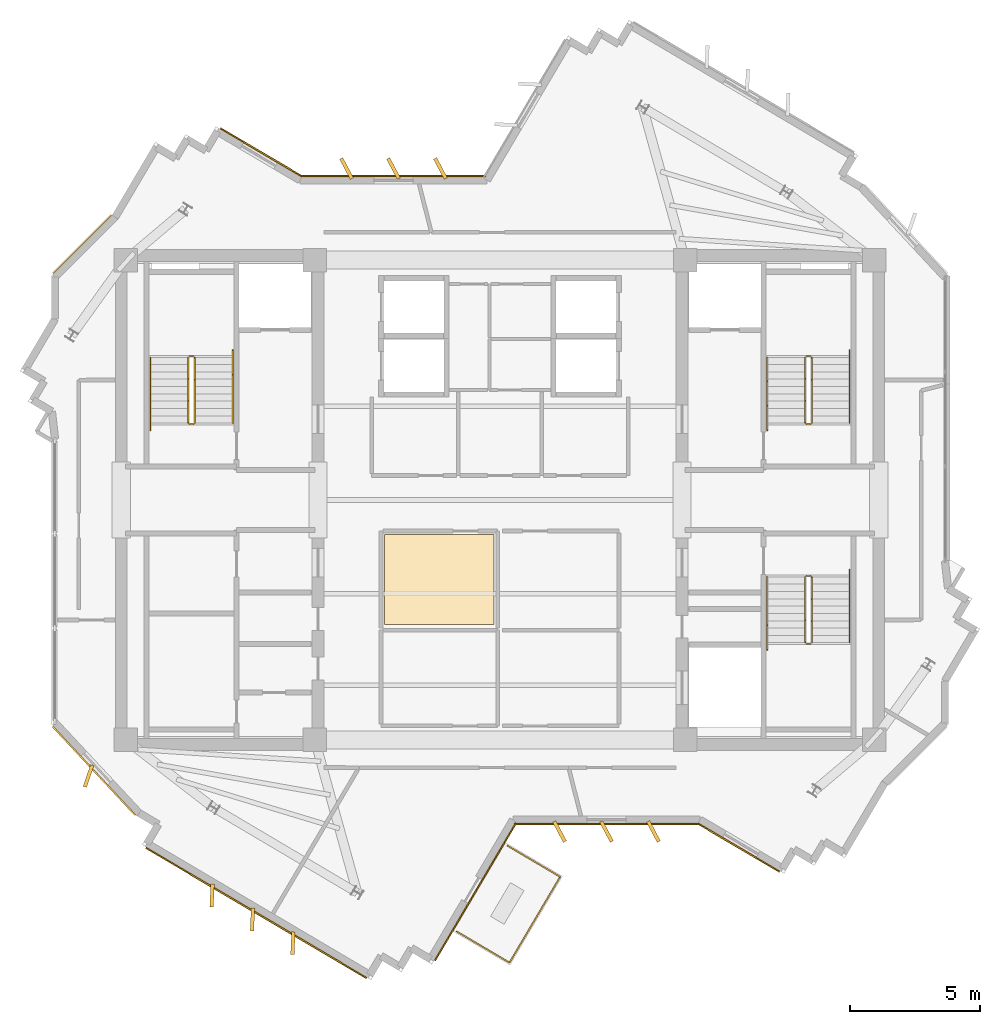
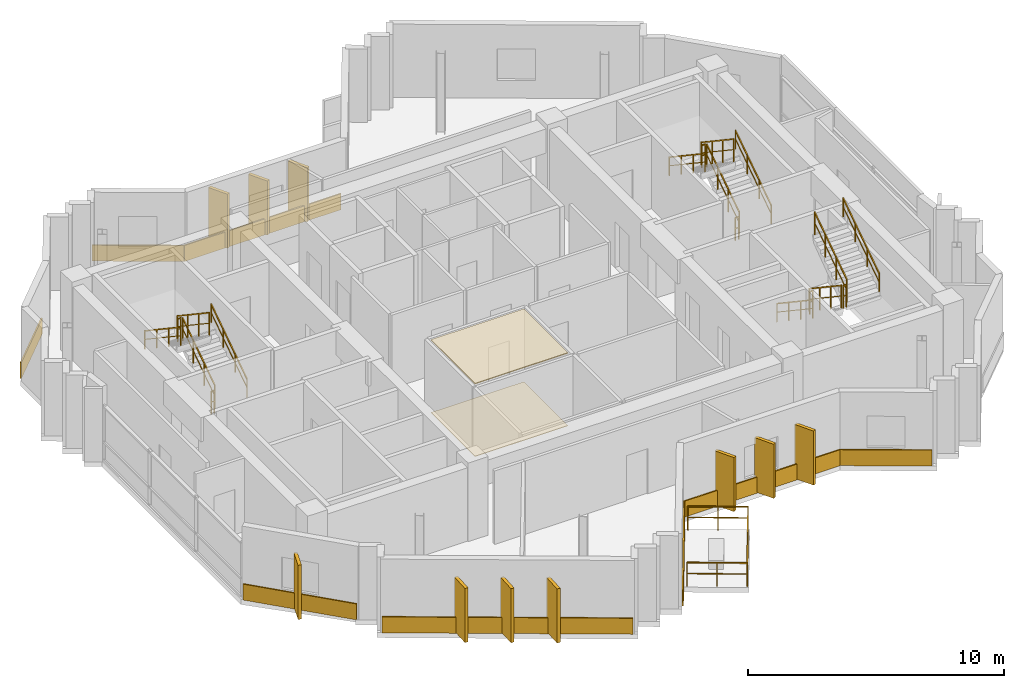
# One storey, part 9 of 10: 21 railings, 20 coverings.
"""IFC4 building model written with IfcOpenShell, lengths in metres."""

from ifc_helpers import new_model, si_unit, direction, frame, origin, origin_2d, place, context, subcontext, project, spatial, polyline, rectangle, outline, extrude, source, transform, mapped, material, layer, layer_set, type_object, element, save


model = new_model("IFC4")

# Units and contexts
model_context = context("Model", 3, precision=1e-05, world=origin(), true_north=direction((0.0, 1.0)))
body_context = subcontext(model_context, "Body", "Model", "MODEL_VIEW")
ifc_project = project(units=[si_unit("LENGTHUNIT", "METRE"), si_unit("AREAUNIT", "SQUARE_METRE"), si_unit("VOLUMEUNIT", "CUBIC_METRE"), si_unit("PLANEANGLEUNIT", "RADIAN"), si_unit("MASSUNIT", "GRAM", prefix="KILO")], contexts=[model_context])

# Site, building, storey
site_placement = place(None, origin())
site = spatial("IfcSite", under=ifc_project, at=site_placement, CompositionType="ELEMENT")
building_placement = place(site_placement, origin())
building = spatial("IfcBuilding", under=site, at=building_placement, Name="Zahravan Cultural Tower", CompositionType="ELEMENT")
storey_placement = place(building_placement, frame((0.0, 0.0, 349.800048828125)))
storey = spatial("IfcBuildingStorey", under=building, at=storey_placement, Name="L85", CompositionType="ELEMENT", Elevation=349.800048828125)

# Coverings
ifc_material_1 = material(Name="Acoustic mineral fibreboard")
ifc_layer_1 = layer(ifc_material_1, 0.0400390625)
ifc_layer_set_1 = layer_set([ifc_layer_1], Name="Acoustic mineral fibreboard")
covering_type_1 = type_object("IfcCoveringType", Name="COV-CEIL-AC20", PredefinedType="CEILING", material=ifc_layer_set_1)
covering_1_placement = place(storey_placement, frame((0.0, 0.0, 3.4599609375)))
element("IfcCovering", 1, at=covering_1_placement, inside=storey, type_object=covering_type_1, Name="L85 Acoustic Suspended Ceiling", PredefinedType="CEILING", context=body_context, shape_type="SweptSolid", body=[
    extrude(outline(polyline([(35.77001953125, 25.669921875), (31.580078125, 25.669921875), (31.580078125, 22.22998046875), (35.77001953125, 22.22998046875), (35.77001953125, 25.669921875)])), origin(), (0.0, 0.0, 1.0), 0.0400390625),
])
ifc_material_2 = material(Name="Terrazzo flooring")
ifc_layer_2 = layer(ifc_material_2, 0.02490234375)
ifc_layer_set_2 = layer_set([ifc_layer_2], Name="Terrazzo flooring")
covering_type_2 = type_object("IfcCoveringType", Name="COV-FLR-TZ25", PredefinedType="FLOORING", material=ifc_layer_set_2)
covering_2_placement = place(storey_placement, origin())
element("IfcCovering", 2, at=covering_2_placement, inside=storey, type_object=covering_type_2, Name="L85 Polished Terrazzo Flooring", PredefinedType="FLOORING", context=body_context, shape_type="SweptSolid", body=[
    extrude(outline(polyline([(35.77001953125, 25.669921875), (31.580078125, 25.669921875), (31.580078125, 22.22998046875), (35.77001953125, 22.22998046875), (35.77001953125, 25.669921875)])), origin(), (0.0, 0.0, 1.0), 0.02490234375),
])

# Railings
ifc_material_3 = material(Name="Steel ASTM A572 Grade 50", Category="steel")
railing_type_1 = type_object("IfcRailingType", Name="RL-BAL-1150", PredefinedType="BALUSTRADE", material=ifc_material_3)
railing_1_placement = place(storey_placement, frame((38.306396484375, 12.552001953125, 0.0)))
element("IfcRailing", 3, at=railing_1_placement, inside=storey, type_object=railing_type_1, Name="L85 Edge Balustrade GRD-TR-L85-SW-01", PredefinedType="BALUSTRADE", context=body_context, shape_type="SweptSolid", body=[
    extrude(rectangle(XDim=0.05, YDim=0.05, at=origin_2d()), frame((0.0, 0.0, 1.125), z_axis=(-0.508307203963, -0.861175816195, 0.0), x_axis=(0.861175816195, -0.508307203963, 0.0)), (0.0, 0.0, 1.0), 3.81982421875),
    extrude(rectangle(XDim=0.032, YDim=0.032, at=origin_2d()), frame((0.0, 0.0, 0.597900390625), z_axis=(-0.508307203963, -0.861175816195, 0.0), x_axis=(0.861175816195, -0.508307203963, 0.0)), (0.0, 0.0, 1.0), 3.81982421875),
    extrude(rectangle(XDim=0.04, YDim=0.04, at=origin_2d()), origin(), (0.0, 0.0, 1.0), 1.14990234375),
    extrude(rectangle(XDim=0.04, YDim=0.04, at=origin_2d()), frame((-0.4853515625, -0.822265625, 0.0)), (0.0, 0.0, 1.0), 1.14990234375),
    extrude(rectangle(XDim=0.04, YDim=0.04, at=origin_2d()), frame((-0.970703125, -1.644775390625, 0.0)), (0.0, 0.0, 1.0), 1.14990234375),
    extrude(rectangle(XDim=0.04, YDim=0.04, at=origin_2d()), frame((-1.456298828125, -2.46728515625, 0.0)), (0.0, 0.0, 1.0), 1.14990234375),
    extrude(rectangle(XDim=0.04, YDim=0.04, at=origin_2d()), frame((-1.941650390625, -3.28955078125, 0.0)), (0.0, 0.0, 1.0), 1.14990234375),
])
railing_2_placement = place(storey_placement, frame((36.36474609375, 9.262451171875, 0.0)))
element("IfcRailing", 4, at=railing_2_placement, inside=storey, type_object=railing_type_1, Name="L85 Edge Balustrade GRD-TR-L85-SW-02", PredefinedType="BALUSTRADE", context=body_context, shape_type="SweptSolid", body=[
    extrude(rectangle(XDim=0.05, YDim=0.05, at=origin_2d()), frame((0.0, 0.0, 1.125), z_axis=(-0.861228334744, 0.508218216353, 0.0), x_axis=(-0.508218216353, -0.861228334744, 0.0)), (0.0, 0.0, 1.0), 2.35009765625),
    extrude(rectangle(XDim=0.032, YDim=0.032, at=origin_2d()), frame((0.0, 0.0, 0.597900390625), z_axis=(-0.861228334744, 0.508218216353, 0.0), x_axis=(-0.508218216353, -0.861228334744, 0.0)), (0.0, 0.0, 1.0), 2.35009765625),
    extrude(rectangle(XDim=0.04, YDim=0.04, at=origin_2d()), origin(), (0.0, 0.0, 1.0), 1.14990234375),
    extrude(rectangle(XDim=0.04, YDim=0.04, at=origin_2d()), frame((-1.011962890625, 0.59716796875, 0.0)), (0.0, 0.0, 1.0), 1.14990234375),
    extrude(rectangle(XDim=0.04, YDim=0.04, at=origin_2d()), frame((-2.02392578125, 1.1943359375, 0.0)), (0.0, 0.0, 1.0), 1.14990234375),
])
railing_3_placement = place(storey_placement, frame((36.28271484375, 13.74658203125, 0.0)))
element("IfcRailing", 5, at=railing_3_placement, inside=storey, type_object=railing_type_1, Name="L85 Edge Balustrade GRD-TR-L85-SW-03", PredefinedType="BALUSTRADE", context=body_context, shape_type="SweptSolid", body=[
    extrude(rectangle(XDim=0.05, YDim=0.05, at=origin_2d()), frame((0.0, 0.0, 1.125), z_axis=(0.861156019915, -0.508340741397, 0.0), x_axis=(0.508340741397, 0.861156019915, 0.0)), (0.0, 0.0, 1.0), 2.349853515625),
    extrude(rectangle(XDim=0.032, YDim=0.032, at=origin_2d()), frame((0.0, 0.0, 0.597900390625), z_axis=(0.861156019915, -0.508340741397, 0.0), x_axis=(0.508340741397, 0.861156019915, 0.0)), (0.0, 0.0, 1.0), 2.349853515625),
    extrude(rectangle(XDim=0.04, YDim=0.04, at=origin_2d()), origin(), (0.0, 0.0, 1.0), 1.14990234375),
    extrude(rectangle(XDim=0.04, YDim=0.04, at=origin_2d()), frame((1.01171875, -0.59716796875, 0.0)), (0.0, 0.0, 1.0), 1.14990234375),
    extrude(rectangle(XDim=0.04, YDim=0.04, at=origin_2d()), frame((2.023681640625, -1.194580078125, 0.0)), (0.0, 0.0, 1.0), 1.14990234375),
])
railing_type_2 = type_object("IfcRailingType", Name="RL-STAIR-GRD1150", PredefinedType="BALUSTRADE", material=ifc_material_3)
railing_4_placement = place(storey_placement, frame((24.300048828125, 29.949951171875, 0.1875)))
element("IfcRailing", 6, at=railing_4_placement, inside=storey, type_object=railing_type_2, Name="L85 ST-W1 stair guard 1", PredefinedType="BALUSTRADE", context=body_context, shape_type="SweptSolid", body=[
    extrude(rectangle(XDim=0.05, YDim=0.05, at=origin_2d()), frame((0.0, 0.0, 1.0751953125), z_axis=(0.0, 0.830909170722, 0.55640807867), x_axis=(-1.0, 0.0, 0.0)), (0.0, 0.0, 1.0), 3.032958984375),
    extrude(rectangle(XDim=0.032, YDim=0.032, at=origin_2d()), frame((0.0, 0.0, 0.572021484375), z_axis=(0.0, 0.830909170722, 0.55640807867), x_axis=(-1.0, 0.0, 0.0)), (0.0, 0.0, 1.0), 3.032958984375),
    extrude(rectangle(XDim=0.04, YDim=0.04, at=origin_2d()), origin(), (0.0, 0.0, 1.0), 1.10009765625),
    extrude(rectangle(XDim=0.04, YDim=0.04, at=origin_2d()), frame((0.0, 0.840087890625, 0.5625)), (0.0, 0.0, 1.0), 1.10009765625),
    extrude(rectangle(XDim=0.04, YDim=0.04, at=origin_2d()), frame((0.0, 1.679931640625, 1.125)), (0.0, 0.0, 1.0), 1.10009765625),
    extrude(rectangle(XDim=0.04, YDim=0.04, at=origin_2d()), frame((0.0, 2.52001953125, 1.6875)), (0.0, 0.0, 1.0), 1.10009765625),
])
railing_5_placement = place(storey_placement, frame((24.25, 32.52001953125, 1.875)))
element("IfcRailing", 7, at=railing_5_placement, inside=storey, type_object=railing_type_2, Name="L85 ST-W1 stair guard 2", PredefinedType="BALUSTRADE", context=body_context, shape_type="SweptSolid", body=[
    extrude(rectangle(XDim=0.05, YDim=0.05, at=origin_2d()), frame((0.0, 0.0, 1.0751953125), z_axis=(-1.0, 0.0, 0.0), x_axis=(0.0, -1.0, 0.0)), (0.0, 0.0, 1.0), 0.14990234375),
    extrude(rectangle(XDim=0.032, YDim=0.032, at=origin_2d()), frame((0.0, 0.0, 0.572021484375), z_axis=(-1.0, 0.0, 0.0), x_axis=(0.0, -1.0, 0.0)), (0.0, 0.0, 1.0), 0.14990234375),
    extrude(rectangle(XDim=0.04, YDim=0.04, at=origin_2d()), origin(), (0.0, 0.0, 1.0), 1.10009765625),
    extrude(rectangle(XDim=0.04, YDim=0.04, at=origin_2d()), frame((-0.14990234375, 0.0, 0.0)), (0.0, 0.0, 1.0), 1.10009765625),
])
railing_6_placement = place(storey_placement, frame((24.050048828125, 32.469970703125, 2.0625)))
element("IfcRailing", 8, at=railing_6_placement, inside=storey, type_object=railing_type_2, Name="L85 ST-W1 stair guard 3", PredefinedType="BALUSTRADE", context=body_context, shape_type="SweptSolid", body=[
    extrude(rectangle(XDim=0.05, YDim=0.05, at=origin_2d()), frame((0.0, 0.0, 1.0751953125), z_axis=(0.0, -0.830909170722, 0.55640807867), x_axis=(1.0, 0.0, 0.0)), (0.0, 0.0, 1.0), 3.032958984375),
    extrude(rectangle(XDim=0.032, YDim=0.032, at=origin_2d()), frame((0.0, 0.0, 0.572021484375), z_axis=(0.0, -0.830909170722, 0.55640807867), x_axis=(1.0, 0.0, 0.0)), (0.0, 0.0, 1.0), 3.032958984375),
    extrude(rectangle(XDim=0.04, YDim=0.04, at=origin_2d()), origin(), (0.0, 0.0, 1.0), 1.10009765625),
    extrude(rectangle(XDim=0.04, YDim=0.04, at=origin_2d()), frame((0.0, -0.840087890625, 0.5625)), (0.0, 0.0, 1.0), 1.10009765625),
    extrude(rectangle(XDim=0.04, YDim=0.04, at=origin_2d()), frame((0.0, -1.679931640625, 1.125)), (0.0, 0.0, 1.0), 1.10009765625),
    extrude(rectangle(XDim=0.04, YDim=0.04, at=origin_2d()), frame((0.0, -2.52001953125, 1.6875)), (0.0, 0.0, 1.0), 1.10009765625),
])
railing_7_placement = place(storey_placement, frame((24.25, 29.89990234375, 0.0)))
element("IfcRailing", 9, at=railing_7_placement, inside=storey, type_object=railing_type_2, Name="L85 ST-W1 stair guard 4", PredefinedType="BALUSTRADE", context=body_context, shape_type="SweptSolid", body=[
    extrude(rectangle(XDim=0.05, YDim=0.05, at=origin_2d()), frame((0.0, 0.0, 1.0751953125), z_axis=(-1.0, 0.0, 0.0), x_axis=(0.0, -1.0, 0.0)), (0.0, 0.0, 1.0), 0.14990234375),
    extrude(rectangle(XDim=0.032, YDim=0.032, at=origin_2d()), frame((0.0, 0.0, 0.572021484375), z_axis=(-1.0, 0.0, 0.0), x_axis=(0.0, -1.0, 0.0)), (0.0, 0.0, 1.0), 0.14990234375),
    extrude(rectangle(XDim=0.04, YDim=0.04, at=origin_2d()), origin(), (0.0, 0.0, 1.0), 1.10009765625),
    extrude(rectangle(XDim=0.04, YDim=0.04, at=origin_2d()), frame((-0.14990234375, 0.0, 0.0)), (0.0, 0.0, 1.0), 1.10009765625),
])
railing_8_placement = place(storey_placement, frame((47.949951171875, 29.949951171875, 0.1875)))
element("IfcRailing", 10, at=railing_8_placement, inside=storey, type_object=railing_type_2, Name="L85 ST-E1 stair guard 1", PredefinedType="BALUSTRADE", context=body_context, shape_type="SweptSolid", body=[
    extrude(rectangle(XDim=0.05, YDim=0.05, at=origin_2d()), frame((0.0, 0.0, 1.0751953125), z_axis=(0.0, 0.830909170722, 0.55640807867), x_axis=(-1.0, 0.0, 0.0)), (0.0, 0.0, 1.0), 3.032958984375),
    extrude(rectangle(XDim=0.032, YDim=0.032, at=origin_2d()), frame((0.0, 0.0, 0.572021484375), z_axis=(0.0, 0.830909170722, 0.55640807867), x_axis=(-1.0, 0.0, 0.0)), (0.0, 0.0, 1.0), 3.032958984375),
    extrude(rectangle(XDim=0.04, YDim=0.04, at=origin_2d()), origin(), (0.0, 0.0, 1.0), 1.10009765625),
    extrude(rectangle(XDim=0.04, YDim=0.04, at=origin_2d()), frame((0.0, 0.840087890625, 0.5625)), (0.0, 0.0, 1.0), 1.10009765625),
    extrude(rectangle(XDim=0.04, YDim=0.04, at=origin_2d()), frame((0.0, 1.679931640625, 1.125)), (0.0, 0.0, 1.0), 1.10009765625),
    extrude(rectangle(XDim=0.04, YDim=0.04, at=origin_2d()), frame((0.0, 2.52001953125, 1.6875)), (0.0, 0.0, 1.0), 1.10009765625),
])
railing_9_placement = place(storey_placement, frame((47.89990234375, 32.52001953125, 1.875)))
element("IfcRailing", 11, at=railing_9_placement, inside=storey, type_object=railing_type_2, Name="L85 ST-E1 stair guard 2", PredefinedType="BALUSTRADE", context=body_context, shape_type="SweptSolid", body=[
    extrude(rectangle(XDim=0.05, YDim=0.05, at=origin_2d()), frame((0.0, 0.0, 1.0751953125), z_axis=(-1.0, 0.0, 0.0), x_axis=(0.0, -1.0, 0.0)), (0.0, 0.0, 1.0), 0.14990234375),
    extrude(rectangle(XDim=0.032, YDim=0.032, at=origin_2d()), frame((0.0, 0.0, 0.572021484375), z_axis=(-1.0, 0.0, 0.0), x_axis=(0.0, -1.0, 0.0)), (0.0, 0.0, 1.0), 0.14990234375),
    extrude(rectangle(XDim=0.04, YDim=0.04, at=origin_2d()), origin(), (0.0, 0.0, 1.0), 1.10009765625),
    extrude(rectangle(XDim=0.04, YDim=0.04, at=origin_2d()), frame((-0.14990234375, 0.0, 0.0)), (0.0, 0.0, 1.0), 1.10009765625),
])
railing_10_placement = place(storey_placement, frame((47.699951171875, 32.469970703125, 2.0625)))
element("IfcRailing", 12, at=railing_10_placement, inside=storey, type_object=railing_type_2, Name="L85 ST-E1 stair guard 3", PredefinedType="BALUSTRADE", context=body_context, shape_type="SweptSolid", body=[
    extrude(rectangle(XDim=0.05, YDim=0.05, at=origin_2d()), frame((0.0, 0.0, 1.0751953125), z_axis=(0.0, -0.830909170722, 0.55640807867), x_axis=(1.0, 0.0, 0.0)), (0.0, 0.0, 1.0), 3.032958984375),
    extrude(rectangle(XDim=0.032, YDim=0.032, at=origin_2d()), frame((0.0, 0.0, 0.572021484375), z_axis=(0.0, -0.830909170722, 0.55640807867), x_axis=(1.0, 0.0, 0.0)), (0.0, 0.0, 1.0), 3.032958984375),
    extrude(rectangle(XDim=0.04, YDim=0.04, at=origin_2d()), origin(), (0.0, 0.0, 1.0), 1.10009765625),
    extrude(rectangle(XDim=0.04, YDim=0.04, at=origin_2d()), frame((0.0, -0.840087890625, 0.5625)), (0.0, 0.0, 1.0), 1.10009765625),
    extrude(rectangle(XDim=0.04, YDim=0.04, at=origin_2d()), frame((0.0, -1.679931640625, 1.125)), (0.0, 0.0, 1.0), 1.10009765625),
    extrude(rectangle(XDim=0.04, YDim=0.04, at=origin_2d()), frame((0.0, -2.52001953125, 1.6875)), (0.0, 0.0, 1.0), 1.10009765625),
])
railing_11_placement = place(storey_placement, frame((47.89990234375, 29.89990234375, 0.0)))
element("IfcRailing", 13, at=railing_11_placement, inside=storey, type_object=railing_type_2, Name="L85 ST-E1 stair guard 4", PredefinedType="BALUSTRADE", context=body_context, shape_type="SweptSolid", body=[
    extrude(rectangle(XDim=0.05, YDim=0.05, at=origin_2d()), frame((0.0, 0.0, 1.0751953125), z_axis=(-1.0, 0.0, 0.0), x_axis=(0.0, -1.0, 0.0)), (0.0, 0.0, 1.0), 0.14990234375),
    extrude(rectangle(XDim=0.032, YDim=0.032, at=origin_2d()), frame((0.0, 0.0, 0.572021484375), z_axis=(-1.0, 0.0, 0.0), x_axis=(0.0, -1.0, 0.0)), (0.0, 0.0, 1.0), 0.14990234375),
    extrude(rectangle(XDim=0.04, YDim=0.04, at=origin_2d()), origin(), (0.0, 0.0, 1.0), 1.10009765625),
    extrude(rectangle(XDim=0.04, YDim=0.04, at=origin_2d()), frame((-0.14990234375, 0.0, 0.0)), (0.0, 0.0, 1.0), 1.10009765625),
])
railing_12_placement = place(storey_placement, frame((47.699951171875, 24.050048828125, 0.1875)))
element("IfcRailing", 14, at=railing_12_placement, inside=storey, type_object=railing_type_2, Name="L85 ST-E2 stair guard 1", PredefinedType="BALUSTRADE", context=body_context, shape_type="SweptSolid", body=[
    extrude(rectangle(XDim=0.05, YDim=0.05, at=origin_2d()), frame((0.0, 0.0, 1.0751953125), z_axis=(0.0, -0.830909170722, 0.55640807867), x_axis=(1.0, 0.0, 0.0)), (0.0, 0.0, 1.0), 3.032958984375),
    extrude(rectangle(XDim=0.032, YDim=0.032, at=origin_2d()), frame((0.0, 0.0, 0.572021484375), z_axis=(0.0, -0.830909170722, 0.55640807867), x_axis=(1.0, 0.0, 0.0)), (0.0, 0.0, 1.0), 3.032958984375),
    extrude(rectangle(XDim=0.04, YDim=0.04, at=origin_2d()), origin(), (0.0, 0.0, 1.0), 1.10009765625),
    extrude(rectangle(XDim=0.04, YDim=0.04, at=origin_2d()), frame((0.0, -0.840087890625, 0.5625)), (0.0, 0.0, 1.0), 1.10009765625),
    extrude(rectangle(XDim=0.04, YDim=0.04, at=origin_2d()), frame((0.0, -1.679931640625, 1.125)), (0.0, 0.0, 1.0), 1.10009765625),
    extrude(rectangle(XDim=0.04, YDim=0.04, at=origin_2d()), frame((0.0, -2.52001953125, 1.6875)), (0.0, 0.0, 1.0), 1.10009765625),
])
railing_13_placement = place(storey_placement, frame((47.75, 21.47998046875, 1.875)))
element("IfcRailing", 15, at=railing_13_placement, inside=storey, type_object=railing_type_2, Name="L85 ST-E2 stair guard 2", PredefinedType="BALUSTRADE", context=body_context, shape_type="SweptSolid", body=[
    extrude(rectangle(XDim=0.05, YDim=0.05, at=origin_2d()), frame((0.0, 0.0, 1.0751953125), z_axis=(1.0, 0.0, 0.0), x_axis=(0.0, 1.0, 0.0)), (0.0, 0.0, 1.0), 0.14990234375),
    extrude(rectangle(XDim=0.032, YDim=0.032, at=origin_2d()), frame((0.0, 0.0, 0.572021484375), z_axis=(1.0, 0.0, 0.0), x_axis=(0.0, 1.0, 0.0)), (0.0, 0.0, 1.0), 0.14990234375),
    extrude(rectangle(XDim=0.04, YDim=0.04, at=origin_2d()), origin(), (0.0, 0.0, 1.0), 1.10009765625),
    extrude(rectangle(XDim=0.04, YDim=0.04, at=origin_2d()), frame((0.14990234375, 0.0, 0.0)), (0.0, 0.0, 1.0), 1.10009765625),
])
railing_14_placement = place(storey_placement, frame((47.949951171875, 21.530029296875, 2.0625)))
element("IfcRailing", 16, at=railing_14_placement, inside=storey, type_object=railing_type_2, Name="L85 ST-E2 stair guard 3", PredefinedType="BALUSTRADE", context=body_context, shape_type="SweptSolid", body=[
    extrude(rectangle(XDim=0.05, YDim=0.05, at=origin_2d()), frame((0.0, 0.0, 1.0751953125), z_axis=(0.0, 0.830909170722, 0.55640807867), x_axis=(-1.0, 0.0, 0.0)), (0.0, 0.0, 1.0), 3.032958984375),
    extrude(rectangle(XDim=0.032, YDim=0.032, at=origin_2d()), frame((0.0, 0.0, 0.572021484375), z_axis=(0.0, 0.830909170722, 0.55640807867), x_axis=(-1.0, 0.0, 0.0)), (0.0, 0.0, 1.0), 3.032958984375),
    extrude(rectangle(XDim=0.04, YDim=0.04, at=origin_2d()), origin(), (0.0, 0.0, 1.0), 1.10009765625),
    extrude(rectangle(XDim=0.04, YDim=0.04, at=origin_2d()), frame((0.0, 0.840087890625, 0.5625)), (0.0, 0.0, 1.0), 1.10009765625),
    extrude(rectangle(XDim=0.04, YDim=0.04, at=origin_2d()), frame((0.0, 1.679931640625, 1.125)), (0.0, 0.0, 1.0), 1.10009765625),
    extrude(rectangle(XDim=0.04, YDim=0.04, at=origin_2d()), frame((0.0, 2.52001953125, 1.6875)), (0.0, 0.0, 1.0), 1.10009765625),
])
railing_15_placement = place(storey_placement, frame((47.75, 24.10009765625, 0.0)))
element("IfcRailing", 17, at=railing_15_placement, inside=storey, type_object=railing_type_2, Name="L85 ST-E2 stair guard 4", PredefinedType="BALUSTRADE", context=body_context, shape_type="SweptSolid", body=[
    extrude(rectangle(XDim=0.05, YDim=0.05, at=origin_2d()), frame((0.0, 0.0, 1.0751953125), z_axis=(1.0, 0.0, 0.0), x_axis=(0.0, 1.0, 0.0)), (0.0, 0.0, 1.0), 0.14990234375),
    extrude(rectangle(XDim=0.032, YDim=0.032, at=origin_2d()), frame((0.0, 0.0, 0.572021484375), z_axis=(1.0, 0.0, 0.0), x_axis=(0.0, 1.0, 0.0)), (0.0, 0.0, 1.0), 0.14990234375),
    extrude(rectangle(XDim=0.04, YDim=0.04, at=origin_2d()), origin(), (0.0, 0.0, 1.0), 1.10009765625),
    extrude(rectangle(XDim=0.04, YDim=0.04, at=origin_2d()), frame((0.14990234375, 0.0, 0.0)), (0.0, 0.0, 1.0), 1.10009765625),
])
railing_type_3 = type_object("IfcRailingType", Name="RL-STAIR-HR900", PredefinedType="HANDRAIL", material=ifc_material_3)
railing_16_placement = place(storey_placement, frame((25.75, 29.949951171875, 0.1875)))
element("IfcRailing", 18, at=railing_16_placement, inside=storey, type_object=railing_type_3, Name="L85 ST-W1 stair handrail 1", PredefinedType="HANDRAIL", context=body_context, shape_type="SweptSolid", body=[
    extrude(rectangle(XDim=0.05, YDim=0.05, at=origin_2d()), frame((0.0, 0.0, 0.875), z_axis=(0.0, 0.830911662861, 0.55640435703), x_axis=(-1.0, 0.0, 0.0)), (0.0, 0.0, 1.0), 3.369873046875),
    extrude(rectangle(XDim=0.032, YDim=0.032, at=origin_2d()), frame((0.0, 0.0, 0.468017578125), z_axis=(0.0, 0.830911662861, 0.55640435703), x_axis=(-1.0, 0.0, 0.0)), (0.0, 0.0, 1.0), 3.369873046875),
    extrude(rectangle(XDim=0.04, YDim=0.04, at=origin_2d()), origin(), (0.0, 0.0, 1.0), 0.89990234375),
    extrude(rectangle(XDim=0.04, YDim=0.04, at=origin_2d()), frame((0.0, 0.933349609375, 0.625)), (0.0, 0.0, 1.0), 0.89990234375),
    extrude(rectangle(XDim=0.04, YDim=0.04, at=origin_2d()), frame((0.0, 1.86669921875, 1.25)), (0.0, 0.0, 1.0), 0.89990234375),
    extrude(rectangle(XDim=0.04, YDim=0.04, at=origin_2d()), frame((0.0, 2.800048828125, 1.875)), (0.0, 0.0, 1.0), 0.89990234375),
])
railing_17_placement = place(storey_placement, frame((22.60009765625, 32.469970703125, 2.0625)))
element("IfcRailing", 19, at=railing_17_placement, inside=storey, type_object=railing_type_3, Name="L85 ST-W1 stair handrail 2", PredefinedType="HANDRAIL", context=body_context, shape_type="SweptSolid", body=[
    extrude(rectangle(XDim=0.05, YDim=0.05, at=origin_2d()), frame((0.0, 0.0, 0.875), z_axis=(0.0, -0.830911662861, 0.55640435703), x_axis=(1.0, 0.0, 0.0)), (0.0, 0.0, 1.0), 3.369873046875),
    extrude(rectangle(XDim=0.032, YDim=0.032, at=origin_2d()), frame((0.0, 0.0, 0.468017578125), z_axis=(0.0, -0.830911662861, 0.55640435703), x_axis=(1.0, 0.0, 0.0)), (0.0, 0.0, 1.0), 3.369873046875),
    extrude(rectangle(XDim=0.04, YDim=0.04, at=origin_2d()), origin(), (0.0, 0.0, 1.0), 0.89990234375),
    extrude(rectangle(XDim=0.04, YDim=0.04, at=origin_2d()), frame((0.0, -0.933349609375, 0.625)), (0.0, 0.0, 1.0), 0.89990234375),
    extrude(rectangle(XDim=0.04, YDim=0.04, at=origin_2d()), frame((0.0, -1.86669921875, 1.25)), (0.0, 0.0, 1.0), 0.89990234375),
    extrude(rectangle(XDim=0.04, YDim=0.04, at=origin_2d()), frame((0.0, -2.800048828125, 1.875)), (0.0, 0.0, 1.0), 0.89990234375),
])
railing_18_placement = place(storey_placement, frame((49.39990234375, 29.949951171875, 0.1875)))
element("IfcRailing", 20, at=railing_18_placement, inside=storey, type_object=railing_type_3, Name="L85 ST-E1 stair handrail 1", PredefinedType="HANDRAIL", context=body_context, shape_type="SweptSolid", body=[
    extrude(rectangle(XDim=0.05, YDim=0.05, at=origin_2d()), frame((0.0, 0.0, 0.875), z_axis=(0.0, 0.830911662861, 0.55640435703), x_axis=(-1.0, 0.0, 0.0)), (0.0, 0.0, 1.0), 3.369873046875),
    extrude(rectangle(XDim=0.032, YDim=0.032, at=origin_2d()), frame((0.0, 0.0, 0.468017578125), z_axis=(0.0, 0.830911662861, 0.55640435703), x_axis=(-1.0, 0.0, 0.0)), (0.0, 0.0, 1.0), 3.369873046875),
    extrude(rectangle(XDim=0.04, YDim=0.04, at=origin_2d()), origin(), (0.0, 0.0, 1.0), 0.89990234375),
    extrude(rectangle(XDim=0.04, YDim=0.04, at=origin_2d()), frame((0.0, 0.933349609375, 0.625)), (0.0, 0.0, 1.0), 0.89990234375),
    extrude(rectangle(XDim=0.04, YDim=0.04, at=origin_2d()), frame((0.0, 1.86669921875, 1.25)), (0.0, 0.0, 1.0), 0.89990234375),
    extrude(rectangle(XDim=0.04, YDim=0.04, at=origin_2d()), frame((0.0, 2.800048828125, 1.875)), (0.0, 0.0, 1.0), 0.89990234375),
])
for number, where, name in (
    (21, (46.25, 32.469970703125, 2.0625), "L85 ST-E1 stair handrail 2"),
    (22, (46.25, 24.050048828125, 0.1875), "L85 ST-E2 stair handrail 1"),
):
    element("IfcRailing", number, at=place(storey_placement, frame(where)), inside=storey, type_object=railing_type_3, Name=name, PredefinedType="HANDRAIL", context=body_context, shape_type="SweptSolid", body=[
        extrude(rectangle(XDim=0.05, YDim=0.05, at=origin_2d()), frame((0.0, 0.0, 0.875), z_axis=(0.0, -0.830911662861, 0.55640435703), x_axis=(1.0, 0.0, 0.0)), (0.0, 0.0, 1.0), 3.369873046875),
        extrude(rectangle(XDim=0.032, YDim=0.032, at=origin_2d()), frame((0.0, 0.0, 0.468017578125), z_axis=(0.0, -0.830911662861, 0.55640435703), x_axis=(1.0, 0.0, 0.0)), (0.0, 0.0, 1.0), 3.369873046875),
        extrude(rectangle(XDim=0.04, YDim=0.04, at=origin_2d()), origin(), (0.0, 0.0, 1.0), 0.89990234375),
        extrude(rectangle(XDim=0.04, YDim=0.04, at=origin_2d()), frame((0.0, -0.933349609375, 0.625)), (0.0, 0.0, 1.0), 0.89990234375),
        extrude(rectangle(XDim=0.04, YDim=0.04, at=origin_2d()), frame((0.0, -1.86669921875, 1.25)), (0.0, 0.0, 1.0), 0.89990234375),
        extrude(rectangle(XDim=0.04, YDim=0.04, at=origin_2d()), frame((0.0, -2.800048828125, 1.875)), (0.0, 0.0, 1.0), 0.89990234375),
    ])
railing_19_placement = place(storey_placement, frame((49.39990234375, 21.530029296875, 2.0625)))
element("IfcRailing", 23, at=railing_19_placement, inside=storey, type_object=railing_type_3, Name="L85 ST-E2 stair handrail 2", PredefinedType="HANDRAIL", context=body_context, shape_type="SweptSolid", body=[
    extrude(rectangle(XDim=0.05, YDim=0.05, at=origin_2d()), frame((0.0, 0.0, 0.875), z_axis=(0.0, 0.830911662861, 0.55640435703), x_axis=(-1.0, 0.0, 0.0)), (0.0, 0.0, 1.0), 3.369873046875),
    extrude(rectangle(XDim=0.032, YDim=0.032, at=origin_2d()), frame((0.0, 0.0, 0.468017578125), z_axis=(0.0, 0.830911662861, 0.55640435703), x_axis=(-1.0, 0.0, 0.0)), (0.0, 0.0, 1.0), 3.369873046875),
    extrude(rectangle(XDim=0.04, YDim=0.04, at=origin_2d()), origin(), (0.0, 0.0, 1.0), 0.89990234375),
    extrude(rectangle(XDim=0.04, YDim=0.04, at=origin_2d()), frame((0.0, 0.933349609375, 0.625)), (0.0, 0.0, 1.0), 0.89990234375),
    extrude(rectangle(XDim=0.04, YDim=0.04, at=origin_2d()), frame((0.0, 1.86669921875, 1.25)), (0.0, 0.0, 1.0), 0.89990234375),
    extrude(rectangle(XDim=0.04, YDim=0.04, at=origin_2d()), frame((0.0, 2.800048828125, 1.875)), (0.0, 0.0, 1.0), 0.89990234375),
])

# Coverings
ifc_material_4 = material(Name="Terracotta ceramic cladding", Category="masonry")
ifc_layer_3 = layer(ifc_material_4, 0.06005859375)
ifc_layer_set_3 = layer_set([ifc_layer_3], Name="Terracotta ceramic cladding")
covering_type_3 = type_object("IfcCoveringType", Name="COV-CLAD-TC60", PredefinedType="CLADDING", material=ifc_layer_set_3)
shared_shape_1 = source(origin(), body_context, "Body", "SweptSolid", [
    extrude(rectangle(XDim=9.820068359375, YDim=0.06005859375, at=origin_2d()), origin(), (0.0, 0.0, 1.0), 0.760009765625),
])
covering_3_placement = place(storey_placement, frame((26.655029296875, 11.1669921875, 0.02001953125), z_axis=(0.0, 0.0, 1.0), x_axis=(-0.861185921638, 0.508290082898, 0.0)))
element("IfcCovering", 24, at=covering_3_placement, inside=storey, type_object=covering_type_3, Name="L85 Terracotta Spandrel Cladding 29", PredefinedType="CLADDING", context=body_context, shape_type="MappedRepresentation", body=[
    mapped(shared_shape_1, transform((0.0, 0.0, 0.0), x_axis=(1.0, 0.0, 0.0), y_axis=(0.0, 1.0, 0.0), z_axis=(0.0, 0.0, 1.0), scale=1.0)),
])
shared_shape_2 = source(origin(), body_context, "Body", "SweptSolid", [
    extrude(rectangle(XDim=0.8798828125, YDim=0.139892578125, at=origin_2d()), origin(), (0.0, 0.0, 1.0), 2.580078125),
])
for number, where, z_axis, x_axis, name in (
    (25, (41.88330078125, 14.2900390625, 0.0498046875), (0.0, 0.0, 1.0), (0.469471562786, -0.882947592859, 0.0), "L85 Herringbone Terracotta Fin 07"),
    (26, (40.083251953125, 14.2900390625, 0.0498046875), (0.0, 0.0, 1.0), (0.469471562786, -0.882947592859, 0.0), "L85 Herringbone Terracotta Fin 08"),
    (27, (38.283203125, 14.2900390625, 0.0498046875), (0.0, 0.0, 1.0), (0.469471562786, -0.882947592859, 0.0), "L85 Herringbone Terracotta Fin 09"),
    (28, (28.060302734375, 10.006591796875, 0.0498046875), (0.0, 0.0, 1.0), (-0.044491204688, -0.999009776081, 0.0), "L85 Herringbone Terracotta Fin 10"),
    (29, (26.51025390625, 10.921630859375, 0.0498046875), (0.0, 0.0, 1.0), (-0.044491204688, -0.999009776081, 0.0), "L85 Herringbone Terracotta Fin 11"),
    (30, (24.9599609375, 11.83642578125, 0.0498046875), (0.0, 0.0, 1.0), (-0.044491204688, -0.999009776081, 0.0), "L85 Herringbone Terracotta Fin 12"),
    (31, (20.224609375, 16.41943359375, 0.0498046875), (0.0, 0.0, 1.0), (-0.32591468324, -0.945399185132, 0.0), "L85 Herringbone Terracotta Fin 13"),
    (32, (30.11669921875, 39.7099609375, 0.0498046875), (0.0, 0.0, 1.0), (-0.469471562786, 0.882947592859, 0.0), "L85 Herringbone Terracotta Fin 14"),
    (33, (31.916748046875, 39.7099609375, 0.0498046875), (0.0, 0.0, 1.0), (-0.469471562786, 0.882947592859, 0.0), "L85 Herringbone Terracotta Fin 15"),
    (34, (33.716796875, 39.7099609375, 0.0498046875), (0.0, 0.0, 1.0), (-0.469471562786, 0.882947592859, 0.0), "L85 Herringbone Terracotta Fin 16"),
):
    element("IfcCovering", number, at=place(storey_placement, frame(where, z_axis=z_axis, x_axis=x_axis)), inside=storey, type_object=covering_type_3, Name=name, PredefinedType="CLADDING", context=body_context, shape_type="MappedRepresentation", body=[
        mapped(shared_shape_2, transform((0.0, 0.0, 0.0), x_axis=(1.0, 0.0, 0.0), y_axis=(0.0, 1.0, 0.0), z_axis=(0.0, 0.0, 1.0), scale=1.0)),
    ])
shared_shape_3 = source(origin(), body_context, "Body", "SweptSolid", [
    extrude(rectangle(XDim=6.11474609375, YDim=0.06005859375, at=origin_2d()), origin(), (0.0, 0.0, 1.0), 0.760009765625),
])
covering_4_placement = place(storey_placement, frame((35.06005859375, 11.97998046875, 0.02001953125), z_axis=(0.0, 0.0, 1.0), x_axis=(-0.508275052291, -0.861194792842, 0.0)))
element("IfcCovering", 35, at=covering_4_placement, inside=storey, type_object=covering_type_3, Name="L85 Terracotta Spandrel Cladding 24", PredefinedType="CLADDING", context=body_context, shape_type="MappedRepresentation", body=[
    mapped(shared_shape_3, transform((0.0, 0.0, 0.0), x_axis=(1.0, 0.0, 0.0), y_axis=(0.0, 1.0, 0.0), z_axis=(0.0, 0.0, 1.0), scale=1.0)),
])
shared_shape_4 = source(origin(), body_context, "Body", "SweptSolid", [
    extrude(rectangle(XDim=4.63427734375, YDim=0.06005859375, at=origin_2d()), origin(), (0.0, 0.0, 1.0), 0.760009765625),
])
covering_5_placement = place(storey_placement, frame((20.43310546875, 16.61376953125, 0.02001953125), z_axis=(0.0, 0.0, 1.0), x_axis=(-0.681730259128, 0.731603617944, 0.0)))
element("IfcCovering", 36, at=covering_5_placement, inside=storey, type_object=covering_type_3, Name="L85 Terracotta Spandrel Cladding 32", PredefinedType="CLADDING", context=body_context, shape_type="MappedRepresentation", body=[
    mapped(shared_shape_4, transform((0.0, 0.0, 0.0), x_axis=(1.0, 0.0, 0.0), y_axis=(0.0, 1.0, 0.0), z_axis=(0.0, 0.0, 1.0), scale=1.0)),
])
shared_shape_5 = source(origin(), body_context, "Body", "SweptSolid", [
    extrude(rectangle(XDim=3.160400390625, YDim=0.06005859375, at=origin_2d()), origin(), (0.0, 0.0, 1.0), 0.760009765625),
])
covering_6_placement = place(storey_placement, frame((19.97607421875, 36.8115234375, 0.02001953125), z_axis=(0.0, 0.0, 1.0), x_axis=(0.707094439737, 0.70711912242, 0.0)))
element("IfcCovering", 37, at=covering_6_placement, inside=storey, type_object=covering_type_3, Name="L85 Terracotta Spandrel Cladding 39", PredefinedType="CLADDING", context=body_context, shape_type="MappedRepresentation", body=[
    mapped(shared_shape_5, transform((0.0, 0.0, 0.0), x_axis=(1.0, 0.0, 0.0), y_axis=(0.0, 1.0, 0.0), z_axis=(0.0, 0.0, 1.0), scale=1.0)),
])
shared_shape_6 = source(origin(), body_context, "Body", "SweptSolid", [
    extrude(rectangle(XDim=3.583984375, YDim=0.06005859375, at=origin_2d()), origin(), (0.0, 0.0, 1.0), 0.760009765625),
])
for number, where, z_axis, x_axis, name in (
    (38, (45.17138671875, 13.66162109375, 0.02001953125), (0.0, 0.0, 1.0), (-0.861185921638, 0.508290082898, 0.0), "L85 Terracotta Spandrel Cladding 22"),
    (39, (26.82861328125, 40.33837890625, 0.02001953125), (0.0, 0.0, 1.0), (0.861185921638, -0.508290082898, 0.0), "L85 Terracotta Spandrel Cladding 45"),
):
    element("IfcCovering", number, at=place(storey_placement, frame(where, z_axis=z_axis, x_axis=x_axis)), inside=storey, type_object=covering_type_3, Name=name, PredefinedType="CLADDING", context=body_context, shape_type="MappedRepresentation", body=[
        mapped(shared_shape_6, transform((0.0, 0.0, 0.0), x_axis=(1.0, 0.0, 0.0), y_axis=(0.0, 1.0, 0.0), z_axis=(0.0, 0.0, 1.0), scale=1.0)),
    ])
shared_shape_7 = source(origin(), body_context, "Body", "SweptSolid", [
    extrude(rectangle(XDim=7.07177734375, YDim=0.06005859375, at=origin_2d()), origin(), (0.0, 0.0, 1.0), 0.760009765625),
])
for number, where, z_axis, x_axis, name in (
    (40, (40.083251953125, 14.574951171875, 0.02001953125), (0.0, 0.0, 1.0), (-1.0, 0.0, 0.0), "L85 Terracotta Spandrel Cladding 23"),
    (41, (31.916748046875, 39.425048828125, 0.02001953125), (0.0, 0.0, 1.0), (1.0, 0.0, 0.0), "L85 Terracotta Spandrel Cladding 46"),
):
    element("IfcCovering", number, at=place(storey_placement, frame(where, z_axis=z_axis, x_axis=x_axis)), inside=storey, type_object=covering_type_3, Name=name, PredefinedType="CLADDING", context=body_context, shape_type="MappedRepresentation", body=[
        mapped(shared_shape_7, transform((0.0, 0.0, 0.0), x_axis=(1.0, 0.0, 0.0), y_axis=(0.0, 1.0, 0.0), z_axis=(0.0, 0.0, 1.0), scale=1.0)),
    ])

save(model, "model.ifc")
